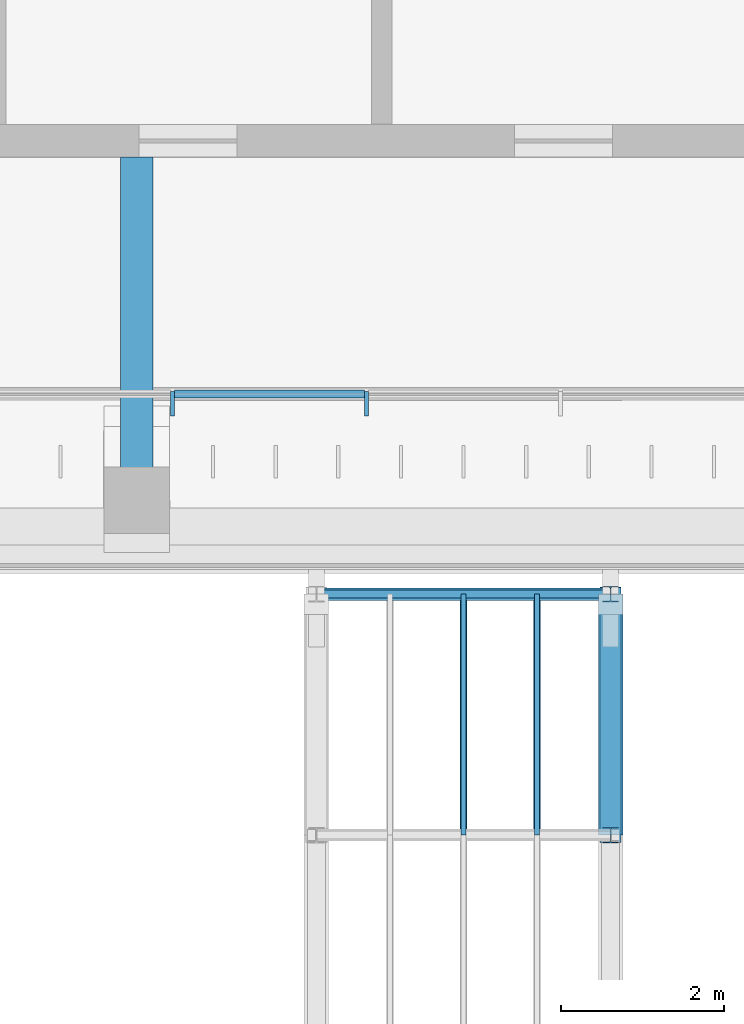
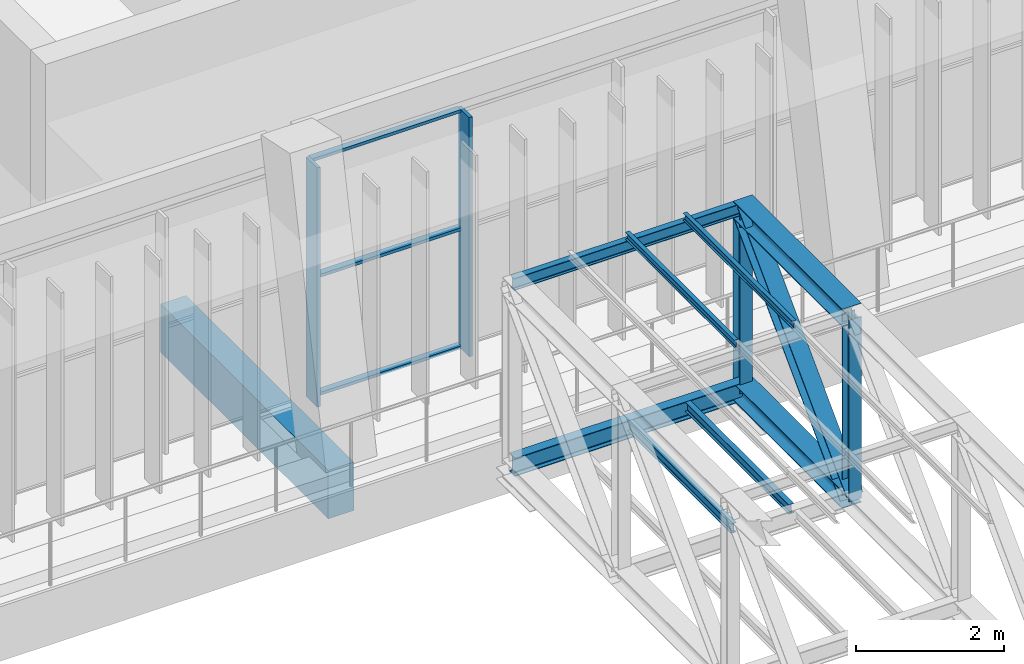
# One storey, part 73 of 141: 13 members, 4 beams, 1 element without a shape of its own.
"""IFC4 building model written with IfcOpenShell, lengths in metres."""

from ifc_helpers import new_model, si_unit, direction, frame, origin, origin_2d, place, context, subcontext, project, spatial, rectangle, i_section, extrude, material, material_profile, profile_set, type_object, element, aggregate, save


model = new_model("IFC4")

# Units and contexts
model_context = context("Model", 3, precision=1e-05, world=origin(), true_north=direction((0.0, 1.0)))
body_context = subcontext(model_context, "Body", "Model", "MODEL_VIEW")
ifc_project = project(units=[si_unit("LENGTHUNIT", "METRE"), si_unit("AREAUNIT", "SQUARE_METRE"), si_unit("VOLUMEUNIT", "CUBIC_METRE"), si_unit("PLANEANGLEUNIT", "RADIAN"), si_unit("MASSUNIT", "GRAM", prefix="KILO")], contexts=[model_context])

# Site, building, storey
site_placement = place(None, origin())
site = spatial("IfcSite", under=ifc_project, at=site_placement, CompositionType="ELEMENT")
building_placement = place(site_placement, origin())
building = spatial("IfcBuilding", under=site, at=building_placement, Name="Lantern Court Media Centre", CompositionType="ELEMENT")
storey_placement = place(building_placement, frame((0.0, 0.0, 9.60009765625)))
storey = spatial("IfcBuildingStorey", under=building, at=storey_placement, Name="L02", CompositionType="ELEMENT", Elevation=9.60009765625)

# Members
ifc_material_1 = material(Name="Steel S355J2 (EN 10025-2)", Category="steel")
ifc_material_profile_1 = material_profile(ifc_material_1, i_section(OverallWidth=0.300048828125, OverallDepth=0.2900390625, WebThickness=0.008544921875, FlangeThickness=0.013916015625, FilletRadius=0.027099609375, at=origin_2d()), Name="HEA 300")
ifc_profile_set_1 = profile_set([ifc_material_profile_1], Name="Steel S355J2 (EN 10025-2)")
member_type_1 = type_object("IfcMemberType", Name="Court bridge chord HEA 300", PredefinedType="CHORD", material=ifc_profile_set_1)
for number, where, z_axis, x_axis, name in (
    (1, (53.800048828125, 94.75, -0.25), (0.0, 1.0, 0.0), (-1.0, 0.0, 0.0), "Court bridge truss 2 bottom chord 12"),
    (2, (53.800048828125, 94.75, 2.75), (0.0, 1.0, 0.0), (-1.0, 0.0, 0.0), "Court bridge truss 2 top chord 12"),
):
    element("IfcMember", number, at=place(storey_placement, frame(where, z_axis=z_axis, x_axis=x_axis)), inside=storey, type_object=member_type_1, Name=name, PredefinedType="CHORD", context=body_context, shape_type="SweptSolid", body=[
        extrude(i_section(OverallWidth=0.300048828125, OverallDepth=0.2900390625, WebThickness=0.008544921875, FlangeThickness=0.013916015625, FilletRadius=0.027099609375, at=origin_2d()), origin(), (0.0, 0.0, 1.0), 2.949951171875),
    ])
ifc_material_profile_2 = material_profile(ifc_material_1, i_section(OverallWidth=0.260009765625, OverallDepth=0.25, WebThickness=0.007568359375, FlangeThickness=0.012451171875, FilletRadius=0.02392578125, at=origin_2d()), Name="HEA 260")
ifc_profile_set_2 = profile_set([ifc_material_profile_2], Name="Steel S355J2 (EN 10025-2)")
member_type_2 = type_object("IfcMemberType", Name="Court bridge end diagonal HEA 260", PredefinedType="BRACE", material=ifc_profile_set_2)
member_1_placement = place(storey_placement, frame((53.800048828125, 94.75, -0.25), z_axis=(0.0, 0.701134051624, 0.713029481615), x_axis=(-1.0, 0.0, 0.0)))
element("IfcMember", 3, at=member_1_placement, inside=storey, type_object=member_type_2, Name="Court bridge truss 2 diagonal 12", PredefinedType="BRACE", context=body_context, shape_type="SweptSolid", body=[
    extrude(i_section(OverallWidth=0.260009765625, OverallDepth=0.25, WebThickness=0.007568359375, FlangeThickness=0.012451171875, FilletRadius=0.02392578125, at=origin_2d()), origin(), (0.0, 0.0, 1.0), 4.20751953125),
])

# Beams
ifc_material_profile_3 = material_profile(ifc_material_1, i_section(OverallWidth=0.14990234375, OverallDepth=0.300048828125, WebThickness=0.007080078125, FlangeThickness=0.0107421875, FilletRadius=0.014892578125, at=origin_2d()), Name="IPE 300")
ifc_profile_set_3 = profile_set([ifc_material_profile_3], Name="Steel S355J2 (EN 10025-2)")
beam_type_1 = type_object("IfcBeamType", Name="Court bridge floor beam IPE 300", PredefinedType="BEAM", material=ifc_profile_set_3)
beam_1_placement = place(storey_placement, frame((50.199951171875, 97.699951171875, -0.25), z_axis=(1.0, 0.0, 0.0), x_axis=(0.0, 1.0, 0.0)))
element("IfcBeam", 4, at=beam_1_placement, inside=storey, type_object=beam_type_1, Name="Court bridge floor beam 13", PredefinedType="BEAM", context=body_context, shape_type="SweptSolid", body=[
    extrude(i_section(OverallWidth=0.14990234375, OverallDepth=0.300048828125, WebThickness=0.007080078125, FlangeThickness=0.0107421875, FilletRadius=0.014892578125, at=origin_2d()), origin(), (0.0, 0.0, 1.0), 3.60009765625),
])
ifc_material_profile_4 = material_profile(ifc_material_1, i_section(OverallWidth=0.08203125, OverallDepth=0.159912109375, WebThickness=0.0048828125, FlangeThickness=0.00732421875, FilletRadius=0.009033203125, at=origin_2d()), Name="IPE 160")
ifc_profile_set_4 = profile_set([ifc_material_profile_4], Name="Steel S355J2 (EN 10025-2)")
beam_type_2 = type_object("IfcBeamType", Name="Court bridge joist IPE 160", PredefinedType="JOIST", material=ifc_profile_set_4)
for number, where, z_axis, x_axis, name in (
    (5, (52.0, 94.824951171875, -0.18017578125), (0.0, 1.0, 0.0), (-1.0, 0.0, 0.0), "Court bridge joist 2-12"),
    (6, (52.89990234375, 94.824951171875, -0.18017578125), (0.0, 1.0, 0.0), (-1.0, 0.0, 0.0), "Court bridge joist 3-12"),
):
    element("IfcBeam", number, at=place(storey_placement, frame(where, z_axis=z_axis, x_axis=x_axis)), inside=storey, type_object=beam_type_2, Name=name, PredefinedType="JOIST", context=body_context, shape_type="SweptSolid", body=[
        extrude(i_section(OverallWidth=0.08203125, OverallDepth=0.159912109375, WebThickness=0.0048828125, FlangeThickness=0.00732421875, FilletRadius=0.009033203125, at=origin_2d()), origin(), (0.0, 0.0, 1.0), 2.800048828125),
    ])

# Members
ifc_material_profile_5 = material_profile(ifc_material_1, i_section(OverallWidth=0.06396484375, OverallDepth=0.1201171875, WebThickness=0.00439453125, FlangeThickness=0.00634765625, FilletRadius=0.007080078125, at=origin_2d()), Name="IPE 120")
ifc_profile_set_5 = profile_set([ifc_material_profile_5], Name="Steel S355J2 (EN 10025-2)")
member_type_3 = type_object("IfcMemberType", Name="Court bridge purlin IPE 120", PredefinedType="PURLIN", material=ifc_profile_set_5)
for number, where, z_axis, x_axis, name in (
    (7, (52.0, 94.75, 2.909912109375), (0.0, 1.0, 0.0), (-1.0, 0.0, 0.0), "Court bridge purlin 2-12"),
    (8, (52.89990234375, 94.75, 2.909912109375), (0.0, 1.0, 0.0), (-1.0, 0.0, 0.0), "Court bridge purlin 3-12"),
):
    element("IfcMember", number, at=place(storey_placement, frame(where, z_axis=z_axis, x_axis=x_axis)), inside=storey, type_object=member_type_3, Name=name, PredefinedType="PURLIN", context=body_context, shape_type="SweptSolid", body=[
        extrude(i_section(OverallWidth=0.06396484375, OverallDepth=0.1201171875, WebThickness=0.00439453125, FlangeThickness=0.00634765625, FilletRadius=0.007080078125, at=origin_2d()), origin(), (0.0, 0.0, 1.0), 2.949951171875),
    ])
ifc_material_profile_6 = material_profile(ifc_material_1, i_section(OverallWidth=0.10009765625, OverallDepth=0.199951171875, WebThickness=0.005615234375, FlangeThickness=0.008544921875, FilletRadius=0.011962890625, at=origin_2d()), Name="IPE 200")
ifc_profile_set_6 = profile_set([ifc_material_profile_6], Name="Steel S355J2 (EN 10025-2)")
member_type_4 = type_object("IfcMemberType", Name="Court bridge roof strut IPE 200", PredefinedType="STRUT", material=ifc_profile_set_6)
member_2_placement = place(storey_placement, frame((50.199951171875, 97.699951171875, 2.75), z_axis=(1.0, 0.0, 0.0), x_axis=(0.0, 1.0, 0.0)))
element("IfcMember", 9, at=member_2_placement, inside=storey, type_object=member_type_4, Name="Court bridge roof strut 13", PredefinedType="STRUT", context=body_context, shape_type="SweptSolid", body=[
    extrude(i_section(OverallWidth=0.10009765625, OverallDepth=0.199951171875, WebThickness=0.005615234375, FlangeThickness=0.008544921875, FilletRadius=0.011962890625, at=origin_2d()), origin(), (0.0, 0.0, 1.0), 3.60009765625),
])
ifc_material_profile_7 = material_profile(ifc_material_1, i_section(OverallWidth=0.199951171875, OverallDepth=0.18994140625, WebThickness=0.006591796875, FlangeThickness=0.010009765625, FilletRadius=0.01806640625, at=origin_2d()), Name="HEA 200")
ifc_profile_set_7 = profile_set([ifc_material_profile_7], Name="Steel S355J2 (EN 10025-2)")
member_type_5 = type_object("IfcMemberType", Name="Court bridge vertical HEA 200", PredefinedType="POST", material=ifc_profile_set_7)
for number, where, z_axis, x_axis, name in (
    (10, (53.800048828125, 94.75, -0.25), (0.0, 0.0, 1.0), (1.0, 0.0, 0.0), "Court bridge truss 2 vertical 12"),
    (11, (53.800048828125, 97.699951171875, -0.25), (0.0, 0.0, 1.0), (1.0, 0.0, 0.0), "Court bridge truss 2 vertical 13"),
):
    element("IfcMember", number, at=place(storey_placement, frame(where, z_axis=z_axis, x_axis=x_axis)), inside=storey, type_object=member_type_5, Name=name, PredefinedType="POST", context=body_context, shape_type="SweptSolid", body=[
        extrude(i_section(OverallWidth=0.199951171875, OverallDepth=0.18994140625, WebThickness=0.006591796875, FlangeThickness=0.010009765625, FilletRadius=0.01806640625, at=origin_2d()), origin(), (0.0, 0.0, 1.0), 3.0),
    ])

# Curtain wall, members
ifc_material_2 = material(Name="Curtain wall bay 2400")
curtain_wall_type = type_object("IfcCurtainWallType", Name="Curtain wall bay 2400", PredefinedType="NOTDEFINED", material=ifc_material_2)
curtain_wall_placement = place(storey_placement, origin())
curtain_wall = element("IfcCurtainWall", 12, at=curtain_wall_placement, inside=storey, type_object=curtain_wall_type, Name="Curtain wall N inner L02", PredefinedType="NOTDEFINED")
ifc_material_3 = material(Name="Anodised aluminium", Category="aluminium")
ifc_material_profile_8 = material_profile(ifc_material_3, rectangle(XDim=0.300048828125, YDim=0.050048828125, at=origin_2d()), Name="AL 50x300")
ifc_profile_set_8 = profile_set([ifc_material_profile_8], Name="Anodised aluminium")
member_type_6 = type_object("IfcMemberType", Name="Curtain wall mullion 50x300", PredefinedType="MULLION", material=ifc_profile_set_8)
member_3_placement = place(storey_placement, frame((48.439208984375, 100.030029296875, 0.0), z_axis=(0.0, 0.0, 1.0), x_axis=(0.0, 1.0, 0.0)))
member_3 = element("IfcMember", 13, at=member_3_placement, type_object=member_type_6, Name="CW2 mullion 11", PredefinedType="MULLION", context=body_context, shape_type="SweptSolid", body=[
    extrude(rectangle(XDim=0.300048828125, YDim=0.050048828125, at=origin_2d()), origin(), (0.0, 0.0, 1.0), 3.949951171875),
])
member_4_placement = place(storey_placement, frame((50.81298828125, 100.030029296875, 0.0), z_axis=(0.0, 0.0, 1.0), x_axis=(0.0, 1.0, 0.0)))
member_4 = element("IfcMember", 14, at=member_4_placement, type_object=member_type_6, Name="CW2 mullion 12", PredefinedType="MULLION", context=body_context, shape_type="SweptSolid", body=[
    extrude(rectangle(XDim=0.300048828125, YDim=0.050048828125, at=origin_2d()), origin(), (0.0, 0.0, 1.0), 3.949951171875),
])
ifc_material_profile_9 = material_profile(ifc_material_3, rectangle(XDim=0.10009765625, YDim=0.050048828125, at=origin_2d()), Name="AL 50x100")
ifc_profile_set_9 = profile_set([ifc_material_profile_9], Name="Anodised aluminium")
member_type_7 = type_object("IfcMemberType", Name="Curtain wall transom 100x50", PredefinedType="USERDEFINED", material=ifc_profile_set_9)
member_5_placement = place(storey_placement, frame((48.464111328125, 100.14990234375, 0.02490234375), z_axis=(1.0, 0.0, 0.0), x_axis=(0.0, 1.0, 0.0)))
member_5 = element("IfcMember", 15, at=member_5_placement, type_object=member_type_7, Name="CW2 transom 11.1", ObjectType="TRANSOM", PredefinedType="USERDEFINED", context=body_context, shape_type="SweptSolid", body=[
    extrude(rectangle(XDim=0.10009765625, YDim=0.050048828125, at=origin_2d()), origin(), (0.0, 0.0, 1.0), 2.323974609375),
])
member_6_placement = place(storey_placement, frame((48.464111328125, 100.14990234375, 1.974853515625), z_axis=(1.0, 0.0, 0.0), x_axis=(0.0, 1.0, 0.0)))
member_6 = element("IfcMember", 16, at=member_6_placement, type_object=member_type_7, Name="CW2 transom 11.2", ObjectType="TRANSOM", PredefinedType="USERDEFINED", context=body_context, shape_type="SweptSolid", body=[
    extrude(rectangle(XDim=0.10009765625, YDim=0.050048828125, at=origin_2d()), origin(), (0.0, 0.0, 1.0), 2.323974609375),
])
member_7_placement = place(storey_placement, frame((48.464111328125, 100.14990234375, 3.9248046875), z_axis=(1.0, 0.0, 0.0), x_axis=(0.0, 1.0, 0.0)))
member_7 = element("IfcMember", 17, at=member_7_placement, type_object=member_type_7, Name="CW2 transom 11.3", ObjectType="TRANSOM", PredefinedType="USERDEFINED", context=body_context, shape_type="SweptSolid", body=[
    extrude(rectangle(XDim=0.10009765625, YDim=0.050048828125, at=origin_2d()), origin(), (0.0, 0.0, 1.0), 2.323974609375),
])
aggregate(curtain_wall, [member_3, member_4, member_5, member_6, member_7])

# Beam
ifc_material_4 = material(Name="Concrete C35", Category="concrete")
ifc_material_profile_10 = material_profile(ifc_material_4, rectangle(XDim=0.39990234375, YDim=0.800048828125, at=origin_2d()), Name="RC 400x800")
ifc_profile_set_10 = profile_set([ifc_material_profile_10], Name="Concrete C35")
beam_type_3 = type_object("IfcBeamType", Name="RC BEAM 400x800", PredefinedType="BEAM", material=ifc_profile_set_10)
beam_2_placement = place(storey_placement, frame((48.0, 98.5166015625, -0.400146484375), z_axis=(0.0, 1.0, 0.0), x_axis=(-1.0, 0.0, 0.0)))
element("IfcBeam", 18, at=beam_2_placement, inside=storey, type_object=beam_type_3, Name="TB-N-L02-3-1", PredefinedType="BEAM", context=body_context, shape_type="SweptSolid", body=[
    extrude(rectangle(XDim=0.39990234375, YDim=0.800048828125, at=origin_2d()), origin(), (0.0, 0.0, 1.0), 4.533447265625),
])

save(model, "model.ifc")
